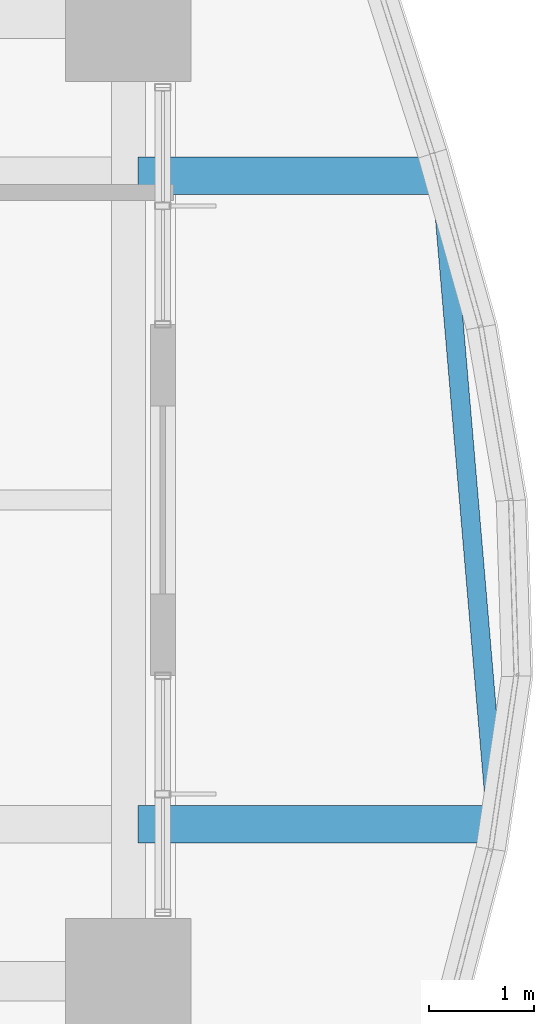
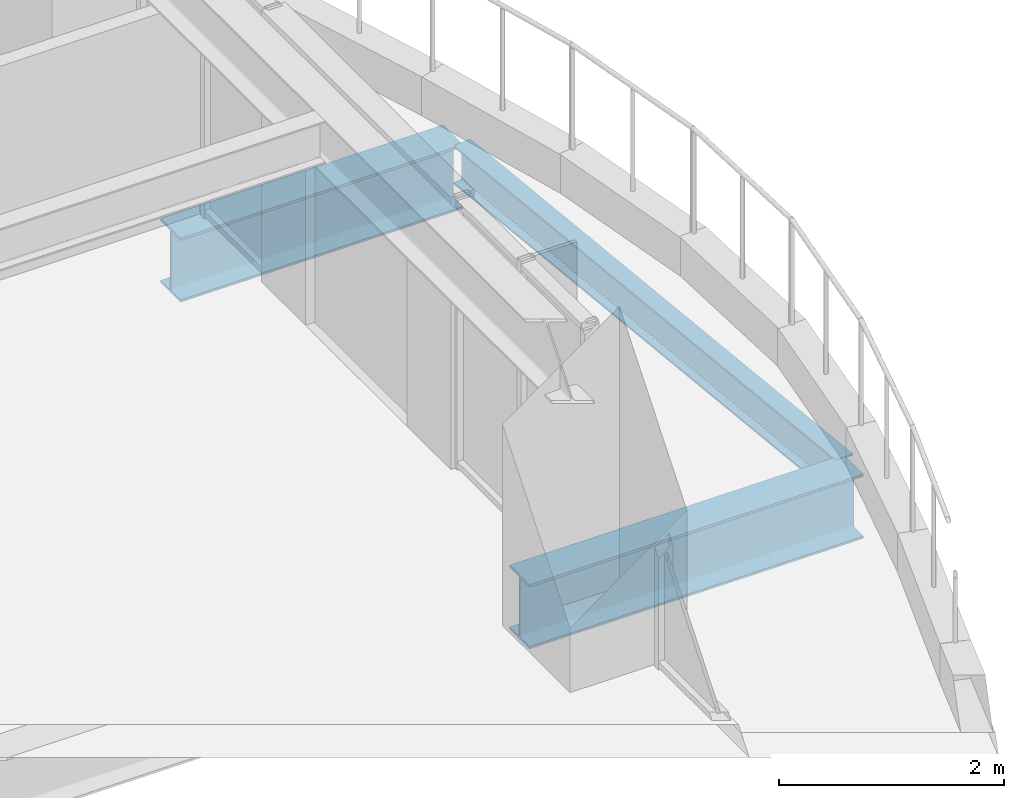
# One storey, part 18 of 38: 3 beams.
"""IFC4 building model written with IfcOpenShell, lengths in metres."""

from ifc_helpers import new_model, si_unit, direction, frame, origin, origin_2d, place, context, subcontext, project, spatial, i_section, extrude, material, material_profile, profile_set, type_object, element, save


model = new_model("IFC4")

# Units and contexts
model_context = context("Model", 3, precision=1e-05, world=origin(), true_north=direction((0.0, 1.0)))
body_context = subcontext(model_context, "Body", "Model", "MODEL_VIEW")
ifc_project = project(units=[si_unit("LENGTHUNIT", "METRE"), si_unit("AREAUNIT", "SQUARE_METRE"), si_unit("VOLUMEUNIT", "CUBIC_METRE"), si_unit("PLANEANGLEUNIT", "RADIAN"), si_unit("MASSUNIT", "GRAM", prefix="KILO")], contexts=[model_context])

# Site, building, storey
site_placement = place(None, origin())
site = spatial("IfcSite", under=ifc_project, at=site_placement, CompositionType="ELEMENT")
building_placement = place(site_placement, origin())
building = spatial("IfcBuilding", under=site, at=building_placement, Name="Kolvaren Belvedere", CompositionType="ELEMENT")
storey_placement = place(building_placement, frame((0.0, 0.0, 60.10009765625)))
storey = spatial("IfcBuildingStorey", under=building, at=storey_placement, Name="L17", CompositionType="ELEMENT", Elevation=60.10009765625)

# Beams
ifc_material_1 = material(Name="Structural steel ASTM A992 Grade 50", Category="steel")
ifc_material_profile_1 = material_profile(ifc_material_1, i_section(OverallWidth=0.35498046875, OverallDepth=0.696044921875, WebThickness=0.015380859375, FlangeThickness=0.02490234375, FilletRadius=0.02197265625, at=origin_2d()), Name="W27X146")
ifc_profile_set_1 = profile_set([ifc_material_profile_1], Name="Structural steel ASTM A992 Grade 50")
beam_type_1 = type_object("IfcBeamType", Name="BM-CANT-BAL", PredefinedType="BEAM", material=ifc_profile_set_1)
beam_1_placement = place(storey_placement, frame((21.64501953125, -3.10009765625, -0.588134765625), z_axis=(1.0, 0.0, 0.0), x_axis=(0.0, 1.0, 0.0)))
element("IfcBeam", 1, at=beam_1_placement, inside=storey, type_object=beam_type_1, Name="L17 Planted Balcony Cantilever BAL-E-1", PredefinedType="BEAM", context=body_context, shape_type="SweptSolid", body=[
    extrude(i_section(OverallWidth=0.35498046875, OverallDepth=0.696044921875, WebThickness=0.015380859375, FlangeThickness=0.02490234375, FilletRadius=0.02197265625, at=origin_2d()), origin(), (0.0, 0.0, 1.0), 3.425537109375),
])
beam_2_placement = place(storey_placement, frame((21.64501953125, 3.10009765625, -0.588134765625), z_axis=(1.0, 0.0, 0.0), x_axis=(0.0, 1.0, 0.0)))
element("IfcBeam", 2, at=beam_2_placement, inside=storey, type_object=beam_type_1, Name="L17 Planted Balcony Cantilever BAL-E-2", PredefinedType="BEAM", context=body_context, shape_type="SweptSolid", body=[
    extrude(i_section(OverallWidth=0.35498046875, OverallDepth=0.696044921875, WebThickness=0.015380859375, FlangeThickness=0.02490234375, FilletRadius=0.02197265625, at=origin_2d()), origin(), (0.0, 0.0, 1.0), 2.896484375),
])
ifc_material_2 = material(Name="Structural steel ASTM A992 Grade 50", Category="steel")
ifc_material_profile_2 = material_profile(ifc_material_2, i_section(OverallWidth=0.180908203125, OverallDepth=0.4169921875, WebThickness=0.010986328125, FlangeThickness=0.018310546875, FilletRadius=0.013916015625, at=origin_2d()), Name="W16X57")
ifc_profile_set_2 = profile_set([ifc_material_profile_2], Name="Structural steel ASTM A992 Grade 50")
beam_type_2 = type_object("IfcBeamType", Name="BM-EDGE-W16X57", PredefinedType="BEAM", material=ifc_profile_set_2)
beam_3_placement = place(storey_placement, frame((25.05859375, -2.96044921875, -0.448486328125), z_axis=(-0.08504456119, 0.996377148781, 0.0), x_axis=(-0.996377148781, -0.08504456119, 0.0)))
element("IfcBeam", 3, at=beam_3_placement, inside=storey, type_object=beam_type_2, Name="L17 Balcony Tip Header Beam BAL-E", PredefinedType="BEAM", context=body_context, shape_type="SweptSolid", body=[
    extrude(i_section(OverallWidth=0.180908203125, OverallDepth=0.4169921875, WebThickness=0.010986328125, FlangeThickness=0.018310546875, FilletRadius=0.013916015625, at=origin_2d()), origin(), (0.0, 0.0, 1.0), 5.9423828125),
])

save(model, "model.ifc")
